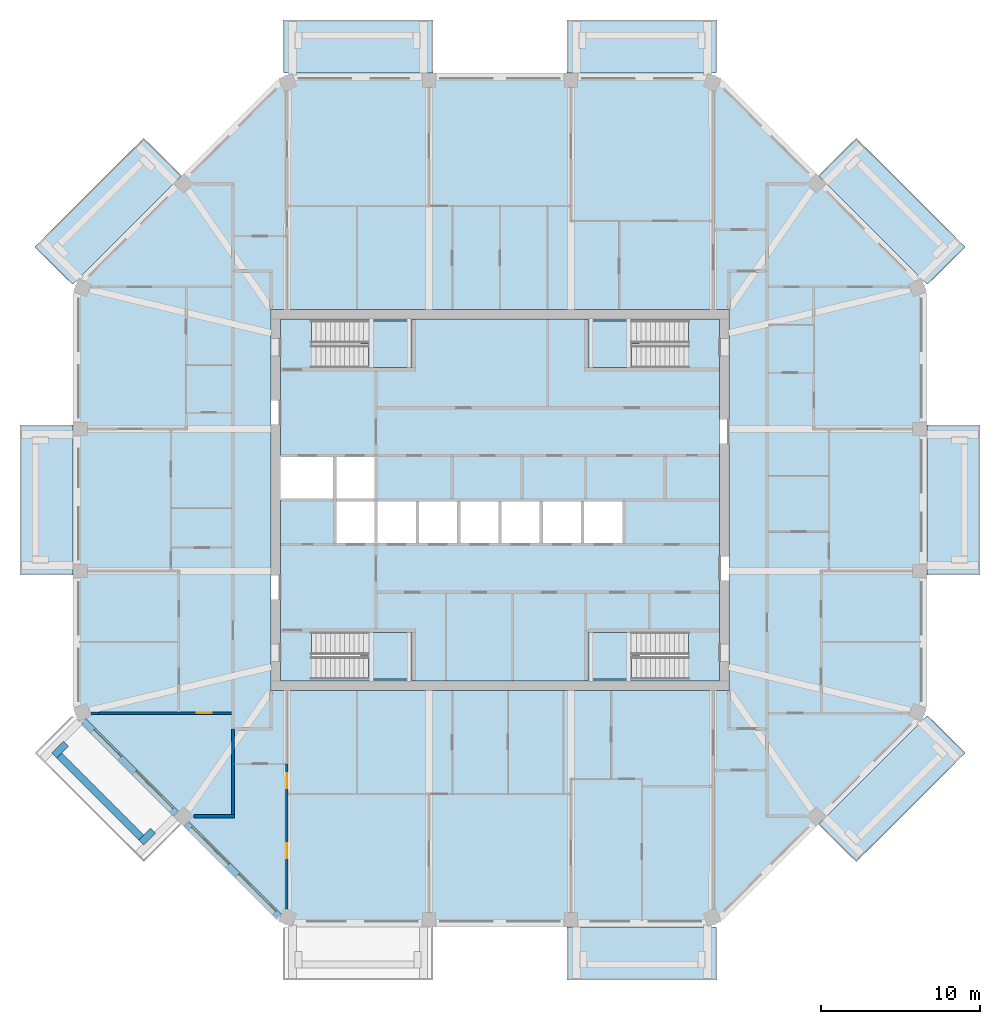
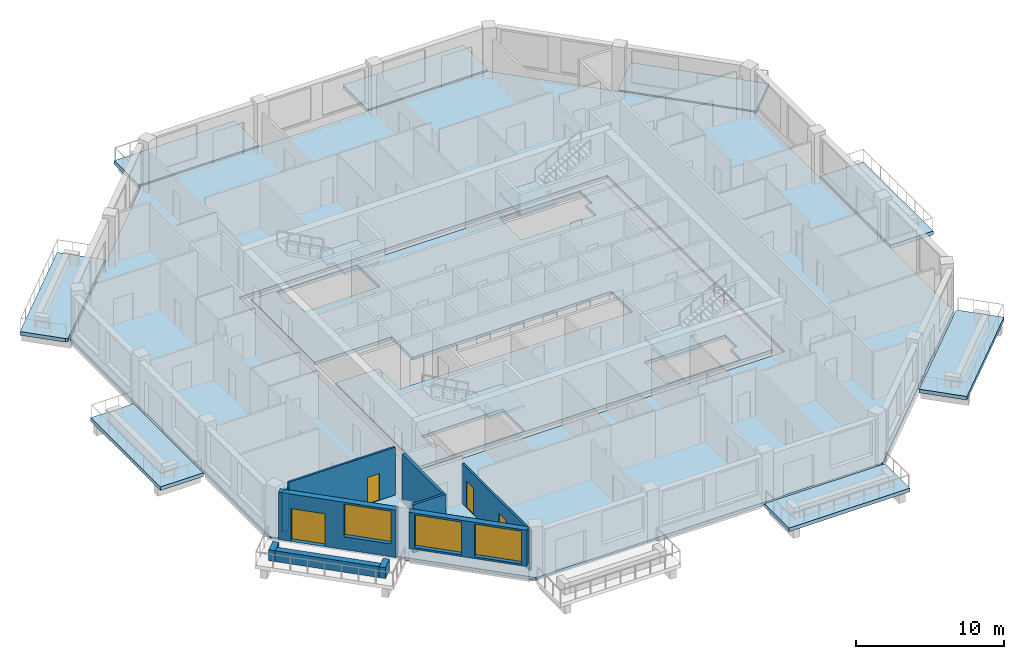
# One storey, part 2 of 12: 14 slabs, 10 walls, 4 doors, 3 windows, 7 openings, 4 elements without a shape of their own.
"""IFC4 building model written with IfcOpenShell, lengths in metres."""

from ifc_helpers import new_model, si_unit, direction, frame, frame_2d, origin, place, context, subcontext, project, spatial, polyline, rectangle, outline, extrude, material, layer, layer_set, type_object, element, fill, aggregate, save


model = new_model("IFC4")

# Units and contexts
model_context = context("Model", 3, precision=1e-05, world=origin(), true_north=direction((0.0, 1.0)))
body_context = subcontext(model_context, "Body", "Model", "MODEL_VIEW")
ifc_project = project(units=[si_unit("LENGTHUNIT", "METRE"), si_unit("AREAUNIT", "SQUARE_METRE"), si_unit("VOLUMEUNIT", "CUBIC_METRE"), si_unit("PLANEANGLEUNIT", "RADIAN"), si_unit("MASSUNIT", "GRAM", prefix="KILO")], contexts=[model_context])

# Site, building, storey
site_placement = place(None, origin())
site = spatial("IfcSite", under=ifc_project, at=site_placement, CompositionType="ELEMENT")
building_placement = place(site_placement, origin())
building = spatial("IfcBuilding", under=site, at=building_placement, Name="Msitu Wima Residences", CompositionType="ELEMENT")
storey_placement = place(building_placement, frame((0.0, 0.0, 218.10009765625)))
storey = spatial("IfcBuildingStorey", under=building, at=storey_placement, Name="L50", CompositionType="ELEMENT", Elevation=218.10009765625)

# Slabs
ifc_material_1 = material(Name="Concrete C40/50", Category="concrete")
ifc_layer_1 = layer(ifc_material_1, 0.300048828125)
ifc_layer_set_1 = layer_set([ifc_layer_1], Name="Concrete C40/50")
slab_type_1 = type_object("IfcSlabType", Name="Balcony slab BS300", PredefinedType="FLOOR", material=ifc_layer_set_1)
slab_1_placement = place(storey_placement, frame((0.0, 0.0, -0.300048828125)))
element("IfcSlab", 1, at=slab_1_placement, inside=storey, type_object=slab_type_1, Name="Balcony E1 L50", PredefinedType="FLOOR", context=body_context, shape_type="SweptSolid", body=[
    extrude(outline(polyline([(26.85009765625, -4.0185546875), (26.85009765625, 4.0185546875), (26.85009765625, 4.71875), (30.199951171875, 4.71875), (30.199951171875, -4.71875), (26.85009765625, -4.71875), (26.85009765625, -4.0185546875)])), origin(), (0.0, 0.0, 1.0), 0.300048828125),
])
slab_2_placement = place(storey_placement, frame((0.0, 0.0, -0.300048828125)))
element("IfcSlab", 2, at=slab_2_placement, inside=storey, type_object=slab_type_1, Name="Balcony NE0 L50", PredefinedType="FLOOR", context=body_context, shape_type="SweptSolid", body=[
    extrude(outline(polyline([(26.505615234375, 13.936767578125), (26.505615234375, 13.936767578125), (20.04443359375, 20.39794921875), (22.4130859375, 22.766845703125), (29.263671875, 15.916015625), (27.003662109375, 13.656005859375), (26.85009765625, 13.59228515625), (26.505615234375, 13.936767578125), (26.505615234375, 13.936767578125)])), origin(), (0.0, 0.0, 1.0), 0.300048828125),
])
slab_3_placement = place(storey_placement, frame((0.0, 0.0, -0.300048828125)))
element("IfcSlab", 3, at=slab_3_placement, inside=storey, type_object=slab_type_1, Name="Balcony N0 L50", PredefinedType="FLOOR", context=body_context, shape_type="SweptSolid", body=[
    extrude(outline(polyline([(13.105224609375, 26.85009765625), (13.105224609375, 26.85009765625), (4.918701171875, 26.85009765625), (4.21875, 26.85009765625), (4.21875, 30.199951171875), (13.656005859375, 30.199951171875), (13.656005859375, 27.003662109375), (13.59228515625, 26.85009765625), (13.105224609375, 26.85009765625), (13.105224609375, 26.85009765625)])), origin(), (0.0, 0.0, 1.0), 0.300048828125),
])
slab_4_placement = place(storey_placement, frame((0.0, 0.0, -0.300048828125)))
element("IfcSlab", 4, at=slab_4_placement, inside=storey, type_object=slab_type_1, Name="Balcony N2 L50", PredefinedType="FLOOR", context=body_context, shape_type="SweptSolid", body=[
    extrude(outline(polyline([(-13.105224609375, 26.85009765625), (-13.105224609375, 26.85009765625), (-13.105224609375, 26.85009765625), (-13.59228515625, 26.85009765625), (-13.656005859375, 27.003662109375), (-13.656005859375, 30.199951171875), (-4.21875, 30.199951171875), (-4.21875, 26.85009765625), (-4.918701171875, 26.85009765625), (-13.105224609375, 26.85009765625)])), origin(), (0.0, 0.0, 1.0), 0.300048828125),
])
slab_5_placement = place(storey_placement, frame((0.0, 0.0, -0.300048828125)))
element("IfcSlab", 5, at=slab_5_placement, inside=storey, type_object=slab_type_1, Name="Balcony NW1 L50", PredefinedType="FLOOR", context=body_context, shape_type="SweptSolid", body=[
    extrude(outline(polyline([(-26.505615234375, 13.936767578125), (-26.505615234375, 13.936767578125), (-26.85009765625, 13.59228515625), (-27.003662109375, 13.656005859375), (-29.263671875, 15.916015625), (-22.4130859375, 22.766845703125), (-20.04443359375, 20.39794921875), (-26.505615234375, 13.936767578125), (-26.505615234375, 13.936767578125)])), origin(), (0.0, 0.0, 1.0), 0.300048828125),
])
slab_6_placement = place(storey_placement, frame((0.0, 0.0, -0.300048828125)))
element("IfcSlab", 6, at=slab_6_placement, inside=storey, type_object=slab_type_1, Name="Balcony W1 L50", PredefinedType="FLOOR", context=body_context, shape_type="SweptSolid", body=[
    extrude(outline(polyline([(-26.85009765625, 4.0185546875), (-26.85009765625, -4.0185546875), (-26.85009765625, -4.71875), (-30.199951171875, -4.71875), (-30.199951171875, 4.71875), (-26.85009765625, 4.71875), (-26.85009765625, 4.0185546875)])), origin(), (0.0, 0.0, 1.0), 0.300048828125),
])
slab_7_placement = place(storey_placement, frame((0.0, 0.0, -0.300048828125)))
element("IfcSlab", 7, at=slab_7_placement, inside=storey, type_object=slab_type_1, Name="Balcony S2 L50", PredefinedType="FLOOR", context=body_context, shape_type="SweptSolid", body=[
    extrude(outline(polyline([(13.105224609375, -26.85009765625), (13.105224609375, -26.85009765625), (13.105224609375, -26.85009765625), (13.59228515625, -26.85009765625), (13.656005859375, -27.003662109375), (13.656005859375, -30.199951171875), (4.21875, -30.199951171875), (4.21875, -26.85009765625), (4.918701171875, -26.85009765625), (13.105224609375, -26.85009765625)])), origin(), (0.0, 0.0, 1.0), 0.300048828125),
])
slab_8_placement = place(storey_placement, frame((0.0, 0.0, -0.300048828125)))
element("IfcSlab", 8, at=slab_8_placement, inside=storey, type_object=slab_type_1, Name="Balcony SE1 L50", PredefinedType="FLOOR", context=body_context, shape_type="SweptSolid", body=[
    extrude(outline(polyline([(26.505615234375, -13.936767578125), (26.505615234375, -13.936767578125), (26.85009765625, -13.59228515625), (27.003662109375, -13.656005859375), (29.263671875, -15.916015625), (22.4130859375, -22.766845703125), (20.04443359375, -20.39794921875), (26.505615234375, -13.936767578125), (26.505615234375, -13.936767578125)])), origin(), (0.0, 0.0, 1.0), 0.300048828125),
])
ifc_layer_2 = layer(ifc_material_1, 0.25)
ifc_layer_set_2 = layer_set([ifc_layer_2], Name="Concrete C40/50")
slab_type_2 = type_object("IfcSlabType", Name="Core floor CF250", PredefinedType="FLOOR", material=ifc_layer_set_2)
slab_9_placement = place(storey_placement, frame((0.0, 0.0, -0.25)))
element("IfcSlab", 9, at=slab_9_placement, inside=storey, type_object=slab_type_2, Name="Core floor", PredefinedType="FLOOR", context=body_context, shape_type="SweptSolid", body=[
    extrude(outline(polyline([(-13.800048828125, 11.39990234375), (-13.800048828125, 2.800048828125), (-10.39990234375, 2.800048828125), (-7.800048828125, 2.800048828125), (-7.800048828125, 0.0), (-5.199951171875, 0.0), (-2.60009765625, 0.0), (0.0, 0.0), (2.60009765625, 0.0), (5.199951171875, 0.0), (7.800048828125, 0.0), (7.800048828125, -2.800048828125), (5.199951171875, -2.800048828125), (2.60009765625, -2.800048828125), (0.0, -2.800048828125), (-2.60009765625, -2.800048828125), (-5.199951171875, -2.800048828125), (-7.800048828125, -2.800048828125), (-10.39990234375, -2.800048828125), (-10.39990234375, 0.0), (-13.800048828125, 0.0), (-13.800048828125, -11.39990234375), (13.800048828125, -11.39990234375), (13.800048828125, 11.39990234375), (-13.800048828125, 11.39990234375)]), holes=[polyline([(-11.375, -11.27490234375), (-11.375, -9.875), (-11.87451171875, -9.875), (-11.87451171875, -8.324951171875), (-5.52490234375, -8.324951171875), (-5.52490234375, -11.27490234375), (-11.375, -11.27490234375)]), polyline([(-11.375, 8.324951171875), (-11.375, 9.72509765625), (-11.87451171875, 9.72509765625), (-11.87451171875, 11.27490234375), (-5.52490234375, 11.27490234375), (-5.52490234375, 8.324951171875), (-11.375, 8.324951171875)]), polyline([(11.375, -9.875), (11.375, -11.27490234375), (5.52490234375, -11.27490234375), (5.52490234375, -8.324951171875), (11.87451171875, -8.324951171875), (11.87451171875, -9.875), (11.375, -9.875)]), polyline([(11.375, 9.72509765625), (11.375, 8.324951171875), (5.52490234375, 8.324951171875), (5.52490234375, 11.27490234375), (11.87451171875, 11.27490234375), (11.87451171875, 9.72509765625), (11.375, 9.72509765625)])]), origin(), (0.0, 0.0, 1.0), 0.25),
])
ifc_layer_3 = layer(ifc_material_1, 0.25)
ifc_layer_set_3 = layer_set([ifc_layer_3], Name="Concrete C40/50")
slab_type_3 = type_object("IfcSlabType", Name="PT flat slab 250 Concrete C40/50", PredefinedType="FLOOR", material=ifc_layer_set_3)
slab_10_placement = place(storey_placement, frame((0.0, 0.0, -0.25)))
element("IfcSlab", 10, at=slab_10_placement, inside=storey, type_object=slab_type_3, Name="Floor slab L50", PredefinedType="FLOOR", context=body_context, shape_type="SweptSolid", body=[
    extrude(outline(polyline([(26.699951171875, -13.5302734375), (13.5302734375, -26.699951171875), (-13.5302734375, -26.699951171875), (-26.699951171875, -13.5302734375), (-26.699951171875, 13.5302734375), (-13.5302734375, 26.699951171875), (13.5302734375, 26.699951171875), (26.699951171875, 13.5302734375), (26.699951171875, -13.5302734375)]), holes=[polyline([(-14.39990234375, -12.0), (14.39990234375, -12.0), (14.39990234375, 12.0), (-14.39990234375, 12.0), (-14.39990234375, -12.0)])]), origin(), (0.0, 0.0, 1.0), 0.25),
])

# Stair, slab
stair_type = type_object("IfcStairType", Name="Exit stair ES1615-140", PredefinedType="HALF_TURN_STAIR", material=ifc_material_1)
stair_1_placement = place(storey_placement, origin())
stair_1 = element("IfcStair", 11, at=stair_1_placement, inside=storey, type_object=stair_type, Name="Exit stair 1", PredefinedType="HALF_TURN_STAIR")
ifc_layer_4 = layer(ifc_material_1, 0.199951171875)
ifc_layer_set_4 = layer_set([ifc_layer_4], Name="Concrete C40/50")
slab_type_4 = type_object("IfcSlabType", Name="Stair landing SL200", PredefinedType="LANDING", material=ifc_layer_set_4)
slab_11_placement = place(storey_placement, frame((0.0, 0.0, 1.89990234375)))
slab_11 = element("IfcSlab", 12, at=slab_11_placement, type_object=slab_type_4, Name="S1 landing 1", PredefinedType="LANDING", context=body_context, shape_type="SweptSolid", body=[
    extrude(outline(polyline([(-5.52490234375, 8.324951171875), (-8.275390625, 8.324951171875), (-8.275390625, 9.800048828125), (-8.77490234375, 9.800048828125), (-8.77490234375, 11.27490234375), (-5.52490234375, 11.27490234375), (-5.52490234375, 8.324951171875)])), origin(), (0.0, 0.0, 1.0), 0.199951171875),
])
aggregate(stair_1, [slab_11])

stair_2_placement = place(storey_placement, origin())
stair_2 = element("IfcStair", 13, at=stair_2_placement, inside=storey, type_object=stair_type, Name="Exit stair 2", PredefinedType="HALF_TURN_STAIR")
slab_12_placement = place(storey_placement, frame((0.0, 0.0, 1.89990234375)))
slab_12 = element("IfcSlab", 14, at=slab_12_placement, type_object=slab_type_4, Name="S2 landing 1", PredefinedType="LANDING", context=body_context, shape_type="SweptSolid", body=[
    extrude(outline(polyline([(-5.52490234375, -11.27490234375), (-8.275390625, -11.27490234375), (-8.275390625, -9.800048828125), (-8.77490234375, -9.800048828125), (-8.77490234375, -8.324951171875), (-5.52490234375, -8.324951171875), (-5.52490234375, -11.27490234375)])), origin(), (0.0, 0.0, 1.0), 0.199951171875),
])
aggregate(stair_2, [slab_12])

stair_3_placement = place(storey_placement, origin())
stair_3 = element("IfcStair", 15, at=stair_3_placement, inside=storey, type_object=stair_type, Name="Exit stair 3", PredefinedType="HALF_TURN_STAIR")
slab_13_placement = place(storey_placement, frame((0.0, 0.0, 1.89990234375)))
slab_13 = element("IfcSlab", 16, at=slab_13_placement, type_object=slab_type_4, Name="S3 landing 1", PredefinedType="LANDING", context=body_context, shape_type="SweptSolid", body=[
    extrude(outline(polyline([(5.52490234375, 8.324951171875), (8.275390625, 8.324951171875), (8.275390625, 9.800048828125), (8.77490234375, 9.800048828125), (8.77490234375, 11.27490234375), (5.52490234375, 11.27490234375), (5.52490234375, 8.324951171875)])), origin(), (0.0, 0.0, 1.0), 0.199951171875),
])
aggregate(stair_3, [slab_13])

stair_4_placement = place(storey_placement, origin())
stair_4 = element("IfcStair", 17, at=stair_4_placement, inside=storey, type_object=stair_type, Name="Exit stair 4", PredefinedType="HALF_TURN_STAIR")
slab_14_placement = place(storey_placement, frame((0.0, 0.0, 1.89990234375)))
slab_14 = element("IfcSlab", 18, at=slab_14_placement, type_object=slab_type_4, Name="S4 landing 1", PredefinedType="LANDING", context=body_context, shape_type="SweptSolid", body=[
    extrude(outline(polyline([(5.52490234375, -11.27490234375), (8.275390625, -11.27490234375), (8.275390625, -9.800048828125), (8.77490234375, -9.800048828125), (8.77490234375, -8.324951171875), (5.52490234375, -8.324951171875), (5.52490234375, -11.27490234375)])), origin(), (0.0, 0.0, 1.0), 0.199951171875),
])
aggregate(stair_4, [slab_14])

# Walls
ifc_material_2 = material(Name="Facing brick")
ifc_layer_5 = layer(ifc_material_2, 0.06494140625, Name="Facing brick")
ifc_layer_6 = layer(ifc_material_1, 0.156005859375, Name="Concrete C40/50")
ifc_material_3 = material(Name="Waterproofing membrane")
ifc_layer_7 = layer(ifc_material_3, 0.00390625, Name="Waterproofing membrane")
ifc_material_4 = material(Name="Planting soil and planting")
ifc_layer_8 = layer(ifc_material_4, 0.22509765625, Name="Planting soil and planting")
ifc_layer_set_5 = layer_set([ifc_layer_5, ifc_layer_6, ifc_layer_7, ifc_layer_8], Name="Concrete C40/50")
wall_type_1 = type_object("IfcWallType", Name="Balcony planter PLANTER PL450", PredefinedType="USERDEFINED", material=ifc_layer_set_5)
wall_1_placement = place(storey_placement, frame((-27.725830078125, -16.0751953125, 0.0), z_axis=(0.0, 0.0, 1.0), x_axis=(0.707106781187, -0.707106781187, 0.0)))
element("IfcWall", 19, at=wall_1_placement, inside=storey, type_object=wall_type_1, Name="Balcony planter SW0 L50", ObjectType="PLANTER", PredefinedType="USERDEFINED", context=body_context, shape_type="SweptSolid", body=[
    extrude(rectangle(XDim=7.288330078125, YDim=0.449951171875, at=frame_2d((3.64404296875, 0.0))), origin(), (0.0, 0.0, 1.0), 0.89990234375),
])
for number, where, z_axis, x_axis, name in (
    (20, (-27.301513671875, -15.332763671875, 0.0), (0.0, 0.0, 1.0), (-0.707106781187, -0.707106781187, 0.0), "Balcony planter SW0 L50"),
    (21, (-21.829833984375, -20.804443359375, 0.0), (0.0, 0.0, 1.0), (-0.707106781187, -0.707106781187, 0.0), "Balcony planter SW0 L50"),
):
    element("IfcWall", number, at=place(storey_placement, frame(where, z_axis=z_axis, x_axis=x_axis)), inside=storey, type_object=wall_type_1, Name=name, ObjectType="PLANTER", PredefinedType="USERDEFINED", context=body_context, shape_type="SweptSolid", body=[
        extrude(rectangle(XDim=1.050048828125, YDim=0.449951171875, at=frame_2d((0.52490234375, 0.0))), origin(), (0.0, 0.0, 1.0), 0.89990234375),
    ])

# Wall, openings, door, window
ifc_material_5 = material(Name="Brick (red buff mix)", Category="masonry")
ifc_layer_9 = layer(ifc_material_5, 0.449951171875)
ifc_layer_set_6 = layer_set([ifc_layer_9], Name="Brick (red buff mix)")
wall_type_2 = type_object("IfcWallType", Name="Brick infill wall BW450", PredefinedType="SOLIDWALL", material=ifc_layer_set_6)
wall_2_placement = place(storey_placement, frame((-26.214599609375, -13.909423828125, 0.0), z_axis=(0.0, 0.0, 1.0), x_axis=(0.707106781187, -0.707106781187, 0.0)))
wall_2 = element("IfcWall", 22, at=wall_2_placement, inside=storey, type_object=wall_type_2, Name="Brick infill wall L50 SW0", PredefinedType="SOLIDWALL", context=body_context, shape_type="SweptSolid", body=[
    extrude(rectangle(XDim=8.251220703125, YDim=0.449951171875, at=frame_2d((4.12548828125, 0.0))), origin(), (0.0, 0.0, 1.0), 3.89990234375),
])
opening_1_placement = place(wall_2_placement, frame((0.86279296875, 0.0, 0.0)))
opening_1 = element("IfcOpeningElement", 23, at=opening_1_placement, cuts=wall_2, Name="Opening D50-51.009", PredefinedType="OPENING", context=body_context, shape_type="SweptSolid", body=[
    extrude(rectangle(XDim=2.39990234375, YDim=2.699951171875, at=frame_2d((1.199951171875, 1.35009765625))), frame((0.0, 0.23486328125, 0.0), z_axis=(0.0, -1.0, 0.0), x_axis=(1.0, 0.0, 0.0)), (0.0, 0.0, 1.0), 0.469970703125),
])
opening_2_placement = place(wall_2_placement, frame((4.57568359375, 0.0, 1.050048828125)))
opening_2 = element("IfcOpeningElement", 24, at=opening_2_placement, cuts=wall_2, Name="Opening W50-51.023", PredefinedType="OPENING", context=body_context, shape_type="SweptSolid", body=[
    extrude(rectangle(XDim=3.300048828125, YDim=2.699951171875, at=frame_2d((1.64990234375, 1.35009765625))), frame((0.0, 0.23486328125, 0.0), z_axis=(0.0, -1.0, 0.0), x_axis=(1.0, 0.0, 0.0)), (0.0, 0.0, 1.0), 0.469970703125),
])
ifc_material_6 = material(Name="Anodised aluminium, bronze finish, clear low-emissivity double glazing", Category="aluminium")
door_type_1 = type_object("IfcDoorType", Name="Balcony door D2400x2700", OperationType="SLIDING_TO_LEFT", PredefinedType="DOOR", material=ifc_material_6)
door_1_placement = place(opening_1_placement, origin())
door_1 = element("IfcDoor", 25, at=door_1_placement, inside=storey, type_object=door_type_1, Name="Balcony door L50 SW0", OperationType="SINGLE_SWING_LEFT", OverallHeight=2.699951171875, OverallWidth=2.39990234375, PredefinedType="DOOR", context=body_context, shape_type="SweptSolid", body=[
    extrude(rectangle(XDim=2.39990234375, YDim=2.699951171875, at=frame_2d((1.199951171875, 1.35009765625))), frame((0.0, 0.1298828125, 0.0), z_axis=(0.0, -1.0, 0.0), x_axis=(1.0, 0.0, 0.0)), (0.0, 0.0, 1.0), 0.050048828125),
])
fill(opening_1, door_1)
window_type = type_object("IfcWindowType", Name="Window W3300x2700", PartitioningType="DOUBLE_PANEL_VERTICAL", PredefinedType="WINDOW", material=ifc_material_6)
window_1_placement = place(opening_2_placement, origin())
window_1 = element("IfcWindow", 26, at=window_1_placement, inside=storey, type_object=window_type, Name="Window L50 SW0.2", OverallHeight=2.699951171875, OverallWidth=3.300048828125, PartitioningType="SINGLE_PANEL", PredefinedType="WINDOW", context=body_context, shape_type="SweptSolid", body=[
    extrude(rectangle(XDim=3.300048828125, YDim=2.699951171875, at=frame_2d((1.64990234375, 1.35009765625))), frame((0.0, 0.135009765625, 0.0), z_axis=(0.0, -1.0, 0.0), x_axis=(1.0, 0.0, 0.0)), (0.0, 0.0, 1.0), 0.06005859375),
])
fill(opening_2, window_1)

# Wall, openings, windows
wall_3_placement = place(storey_placement, frame((-19.743896484375, -20.380126953125, 0.89990234375), z_axis=(0.0, 0.0, 1.0), x_axis=(0.707106781187, -0.707106781187, 0.0)))
wall_3 = element("IfcWall", 27, at=wall_3_placement, inside=storey, type_object=wall_type_2, Name="Brick infill wall L50 SW1", PredefinedType="SOLIDWALL", context=body_context, shape_type="SweptSolid", body=[
    extrude(rectangle(XDim=8.251220703125, YDim=0.449951171875, at=frame_2d((4.12548828125, 0.0))), origin(), (0.0, 0.0, 1.0), 3.0),
])
opening_3_placement = place(wall_3_placement, frame((0.37548828125, 0.0, 0.14990234375)))
opening_3 = element("IfcOpeningElement", 28, at=opening_3_placement, cuts=wall_3, Name="Opening W50-51.024", PredefinedType="OPENING", context=body_context, shape_type="SweptSolid", body=[
    extrude(rectangle(XDim=3.300048828125, YDim=2.699951171875, at=frame_2d((1.64990234375, 1.35009765625))), frame((0.0, 0.23486328125, 0.0), z_axis=(0.0, -1.0, 0.0), x_axis=(1.0, 0.0, 0.0)), (0.0, 0.0, 1.0), 0.469970703125),
])
opening_4_placement = place(wall_3_placement, frame((4.57568359375, 0.0, 0.14990234375)))
opening_4 = element("IfcOpeningElement", 29, at=opening_4_placement, cuts=wall_3, Name="Opening W50-51.025", PredefinedType="OPENING", context=body_context, shape_type="SweptSolid", body=[
    extrude(rectangle(XDim=3.300048828125, YDim=2.699951171875, at=frame_2d((1.64990234375, 1.35009765625))), frame((0.0, 0.23486328125, 0.0), z_axis=(0.0, -1.0, 0.0), x_axis=(1.0, 0.0, 0.0)), (0.0, 0.0, 1.0), 0.469970703125),
])
window_2_placement = place(opening_3_placement, origin())
window_2 = element("IfcWindow", 30, at=window_2_placement, inside=storey, type_object=window_type, Name="Window L50 SW1.1", OverallHeight=2.699951171875, OverallWidth=3.300048828125, PartitioningType="SINGLE_PANEL", PredefinedType="WINDOW", context=body_context, shape_type="SweptSolid", body=[
    extrude(rectangle(XDim=3.300048828125, YDim=2.699951171875, at=frame_2d((1.64990234375, 1.35009765625))), frame((0.0, 0.135009765625, 0.0), z_axis=(0.0, -1.0, 0.0), x_axis=(1.0, 0.0, 0.0)), (0.0, 0.0, 1.0), 0.06005859375),
])
fill(opening_3, window_2)
window_3_placement = place(opening_4_placement, origin())
window_3 = element("IfcWindow", 31, at=window_3_placement, inside=storey, type_object=window_type, Name="Window L50 SW1.2", OverallHeight=2.699951171875, OverallWidth=3.300048828125, PartitioningType="SINGLE_PANEL", PredefinedType="WINDOW", context=body_context, shape_type="SweptSolid", body=[
    extrude(rectangle(XDim=3.300048828125, YDim=2.699951171875, at=frame_2d((1.64990234375, 1.35009765625))), frame((0.0, 0.135009765625, 0.0), z_axis=(0.0, -1.0, 0.0), x_axis=(1.0, 0.0, 0.0)), (0.0, 0.0, 1.0), 0.06005859375),
])
fill(opening_4, window_3)

# Wall
ifc_material_7 = material(Name="Plaster")
ifc_layer_10 = layer(ifc_material_7, 0.011962890625, Name="Plaster")
ifc_material_8 = material(Name="Concrete blockwork", Category="masonry")
ifc_layer_11 = layer(ifc_material_8, 0.1259765625, Name="Concrete blockwork")
ifc_layer_12 = layer(ifc_material_7, 0.011962890625, Name="Plaster")
ifc_layer_set_7 = layer_set([ifc_layer_10, ifc_layer_11, ifc_layer_12], Name="Concrete blockwork")
wall_type_3 = type_object("IfcWallType", Name="Partition PW150", PredefinedType="PARTITIONING", material=ifc_layer_set_7)
wall_4_placement = place(storey_placement, frame((-25.731201171875, -13.406005859375, 0.0), z_axis=(0.0, 0.0, 1.0), x_axis=(1.0, 0.0, 0.0)))
element("IfcWall", 32, at=wall_4_placement, inside=storey, type_object=wall_type_3, Name="Partition", PredefinedType="PARTITIONING", context=body_context, shape_type="SweptSolid", body=[
    extrude(rectangle(XDim=0.507080078125, YDim=0.14990234375, at=frame_2d((0.25341796875, 0.0))), origin(), (0.0, 0.0, 1.0), 3.349853515625),
])

# Wall, opening, door
wall_5_placement = place(storey_placement, frame((-25.22412109375, -13.406005859375, 0.0), z_axis=(0.0, 0.0, 1.0), x_axis=(1.0, 0.0, 0.0)))
wall_5 = element("IfcWall", 33, at=wall_5_placement, inside=storey, type_object=wall_type_3, Name="Partition", PredefinedType="PARTITIONING", context=body_context, shape_type="SweptSolid", body=[
    extrude(rectangle(XDim=8.32421875, YDim=0.14990234375, at=frame_2d((4.162109375, 0.0))), origin(), (0.0, 0.0, 1.0), 3.949951171875),
])
opening_5_placement = place(wall_5_placement, frame((6.142822265625, 0.0, 0.0)))
opening_5 = element("IfcOpeningElement", 34, at=opening_5_placement, cuts=wall_5, Name="Opening D50-51.036", PredefinedType="OPENING", context=body_context, shape_type="SweptSolid", body=[
    extrude(rectangle(XDim=0.949951171875, YDim=2.199951171875, at=frame_2d((0.47509765625, 1.10009765625))), frame((0.0, 0.0849609375, 0.0), z_axis=(0.0, -1.0, 0.0), x_axis=(1.0, 0.0, 0.0)), (0.0, 0.0, 1.0), 0.169921875),
])
ifc_material_9 = material(Name="Timber flush door", Category="wood")
door_type_2 = type_object("IfcDoorType", Name="Room door D12 950x2200", OperationType="SINGLE_SWING_LEFT", PredefinedType="DOOR", material=ifc_material_9)
door_2_placement = place(opening_5_placement, origin())
door_2 = element("IfcDoor", 35, at=door_2_placement, inside=storey, type_object=door_type_2, Name="Room door", OperationType="SINGLE_SWING_LEFT", OverallHeight=2.199951171875, OverallWidth=0.949951171875, PredefinedType="DOOR", context=body_context, shape_type="SweptSolid", body=[
    extrude(rectangle(XDim=0.949951171875, YDim=2.199951171875, at=frame_2d((0.47509765625, 1.10009765625))), frame((0.0, 0.02490234375, 0.0), z_axis=(0.0, -1.0, 0.0), x_axis=(1.0, 0.0, 0.0)), (0.0, 0.0, 1.0), 0.050048828125),
])
fill(opening_5, door_2)

# Wall, openings, doors
wall_6_placement = place(storey_placement, frame((-13.406005859375, -25.731201171875, 0.0), z_axis=(0.0, 0.0, 1.0), x_axis=(0.0, 1.0, 0.0)))
wall_6 = element("IfcWall", 36, at=wall_6_placement, inside=storey, type_object=wall_type_3, Name="Partition", PredefinedType="PARTITIONING", context=body_context, shape_type="SweptSolid", body=[
    extrude(rectangle(XDim=9.131103515625, YDim=0.14990234375, at=frame_2d((4.5654296875, 0.0))), origin(), (0.0, 0.0, 1.0), 3.2998046875),
])
opening_6_placement = place(wall_6_placement, frame((3.199951171875, 0.0, 0.0)))
opening_6 = element("IfcOpeningElement", 37, at=opening_6_placement, cuts=wall_6, Name="Opening D50-51.049", PredefinedType="OPENING", context=body_context, shape_type="SweptSolid", body=[
    extrude(rectangle(XDim=0.949951171875, YDim=2.199951171875, at=frame_2d((0.47509765625, 1.10009765625))), frame((0.0, 0.0849609375, 0.0), z_axis=(0.0, -1.0, 0.0), x_axis=(1.0, 0.0, 0.0)), (0.0, 0.0, 1.0), 0.169921875),
])
opening_7_placement = place(wall_6_placement, frame((7.60009765625, 0.0, 0.0)))
opening_7 = element("IfcOpeningElement", 38, at=opening_7_placement, cuts=wall_6, Name="Opening D50-51.050", PredefinedType="OPENING", context=body_context, shape_type="SweptSolid", body=[
    extrude(rectangle(XDim=0.949951171875, YDim=2.199951171875, at=frame_2d((0.47509765625, 1.10009765625))), frame((0.0, 0.0849609375, 0.0), z_axis=(0.0, -1.0, 0.0), x_axis=(1.0, 0.0, 0.0)), (0.0, 0.0, 1.0), 0.169921875),
])
door_3_placement = place(opening_6_placement, origin())
door_3 = element("IfcDoor", 39, at=door_3_placement, inside=storey, type_object=door_type_2, Name="Room door", OperationType="SINGLE_SWING_RIGHT", OverallHeight=2.199951171875, OverallWidth=0.949951171875, PredefinedType="DOOR", context=body_context, shape_type="SweptSolid", body=[
    extrude(rectangle(XDim=0.949951171875, YDim=2.199951171875, at=frame_2d((0.47509765625, 1.10009765625))), frame((0.0, 0.02490234375, 0.0), z_axis=(0.0, -1.0, 0.0), x_axis=(1.0, 0.0, 0.0)), (0.0, 0.0, 1.0), 0.050048828125),
])
fill(opening_6, door_3)
door_4_placement = place(opening_7_placement, origin())
door_4 = element("IfcDoor", 40, at=door_4_placement, inside=storey, type_object=door_type_2, Name="Room door", OperationType="SINGLE_SWING_RIGHT", OverallHeight=2.199951171875, OverallWidth=0.949951171875, PredefinedType="DOOR", context=body_context, shape_type="SweptSolid", body=[
    extrude(rectangle(XDim=0.949951171875, YDim=2.199951171875, at=frame_2d((0.47509765625, 1.10009765625))), frame((0.0, 0.02490234375, 0.0), z_axis=(0.0, -1.0, 0.0), x_axis=(1.0, 0.0, 0.0)), (0.0, 0.0, 1.0), 0.050048828125),
])
fill(opening_7, door_4)

# Walls
ifc_layer_13 = layer(ifc_material_7, 0.011962890625, Name="Plaster")
ifc_material_10 = material(Name="Dense concrete blockwork", Category="masonry")
ifc_layer_14 = layer(ifc_material_10, 0.176025390625, Name="Dense concrete blockwork")
ifc_layer_15 = layer(ifc_material_7, 0.011962890625, Name="Plaster")
ifc_layer_set_8 = layer_set([ifc_layer_13, ifc_layer_14, ifc_layer_15], Name="Dense concrete blockwork")
wall_type_4 = type_object("IfcWallType", Name="Party wall PW200", PredefinedType="PARTITIONING", material=ifc_layer_set_8)
wall_7_placement = place(storey_placement, frame((-19.2666015625, -19.90283203125, 0.0), z_axis=(0.0, 0.0, 1.0), x_axis=(1.0, 0.0, 0.0)))
element("IfcWall", 41, at=wall_7_placement, inside=storey, type_object=wall_type_4, Name="Party wall", PredefinedType="PARTITIONING", context=body_context, shape_type="SweptSolid", body=[
    extrude(rectangle(XDim=2.566650390625, YDim=0.199951171875, at=frame_2d((1.283203125, 0.0))), origin(), (0.0, 0.0, 1.0), 3.949951171875),
])
wall_8_placement = place(storey_placement, frame((-16.800048828125, -19.802978515625, 0.0), z_axis=(0.0, 0.0, 1.0), x_axis=(0.0, 1.0, 0.0)))
element("IfcWall", 42, at=wall_8_placement, inside=storey, type_object=wall_type_4, Name="Party wall", PredefinedType="PARTITIONING", context=body_context, shape_type="SweptSolid", body=[
    extrude(rectangle(XDim=5.403076171875, YDim=0.199951171875, at=frame_2d((2.70166015625, 0.0))), origin(), (0.0, 0.0, 1.0), 3.949951171875),
])

save(model, "model.ifc")
